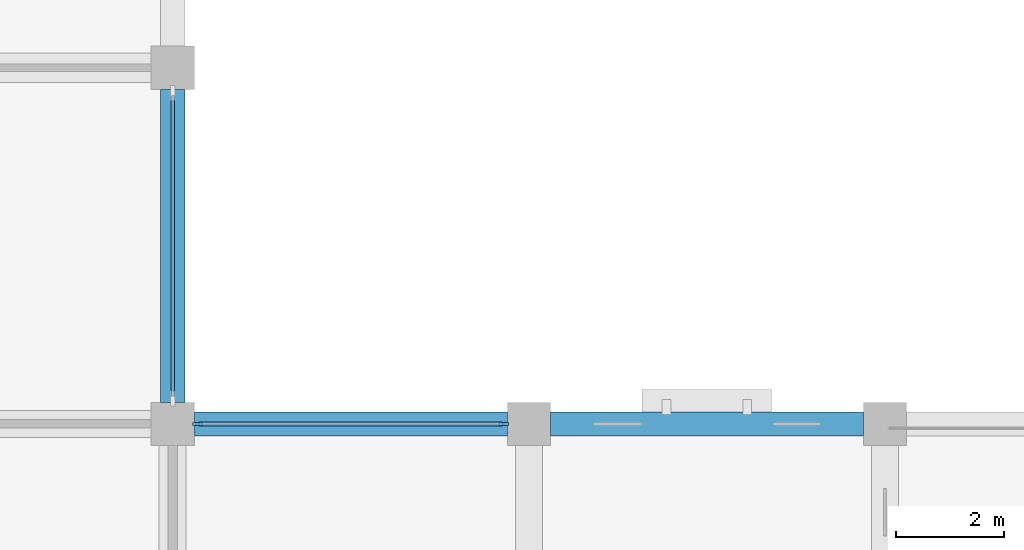
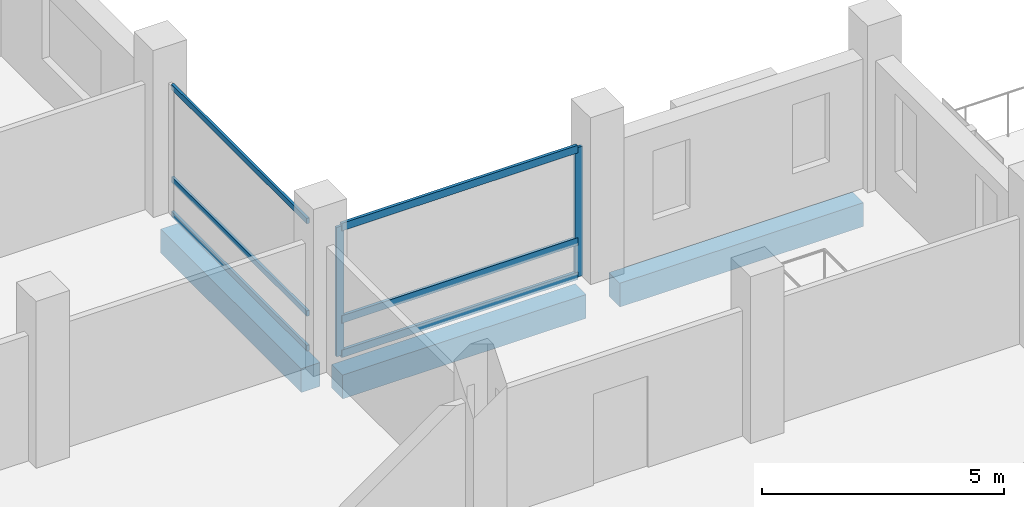
# One storey, part 4 of 25: 8 members, 3 beams, 2 elements without a shape of their own.
"""IFC4 building model written with IfcOpenShell, lengths in metres."""

from ifc_helpers import new_model, si_unit, direction, frame, origin, origin_2d, place, context, subcontext, project, spatial, rectangle, extrude, material, material_profile, profile_set, type_object, element, aggregate, save


model = new_model("IFC4")

# Units and contexts
model_context = context("Model", 3, precision=1e-05, world=origin(), true_north=direction((0.0, 1.0)))
body_context = subcontext(model_context, "Body", "Model", "MODEL_VIEW")
ifc_project = project(units=[si_unit("LENGTHUNIT", "METRE"), si_unit("AREAUNIT", "SQUARE_METRE"), si_unit("VOLUMEUNIT", "CUBIC_METRE"), si_unit("PLANEANGLEUNIT", "RADIAN"), si_unit("MASSUNIT", "GRAM", prefix="KILO")], contexts=[model_context])

# Site, building, storey
site_placement = place(None, origin())
site = spatial("IfcSite", under=ifc_project, at=site_placement, CompositionType="ELEMENT")
building_placement = place(site_placement, origin())
building = spatial("IfcBuilding", under=site, at=building_placement, Name="Rusizi Kubbe Research Institute", CompositionType="ELEMENT")
storey_placement = place(building_placement, frame((0.0, 0.0, 14.39990234375)))
storey = spatial("IfcBuildingStorey", under=building, at=storey_placement, Name="L03", CompositionType="ELEMENT", Elevation=14.39990234375)

# Beams
ifc_material_1 = material(Name="Concrete C40/50", Category="concrete")
ifc_material_profile_1 = material_profile(ifc_material_1, rectangle(XDim=0.449951171875, YDim=0.60009765625, at=origin_2d()), Name="RC450x600")
ifc_profile_set_1 = profile_set([ifc_material_profile_1], Name="Concrete C40/50")
beam_type = type_object("IfcBeamType", Name="BM-RC450x600", PredefinedType="SPANDREL", material=ifc_profile_set_1)
for number, where, z_axis, x_axis, name in (
    (1, (53.199951171875, 26.39990234375, -0.64990234375), (1.0, 0.0, 0.0), (0.0, 1.0, 0.0), "Grid Beam H L03 (8,4)"),
    (2, (59.800048828125, 26.39990234375, -0.64990234375), (1.0, 0.0, 0.0), (0.0, 1.0, 0.0), "Grid Beam H L03 (9,4)"),
    (3, (52.800048828125, 26.800048828125, -0.64990234375), (0.0, 1.0, 0.0), (-1.0, 0.0, 0.0), "Grid Beam V L03 (8,4)"),
):
    element("IfcBeam", number, at=place(storey_placement, frame(where, z_axis=z_axis, x_axis=x_axis)), inside=storey, type_object=beam_type, Name=name, PredefinedType="SPANDREL", context=body_context, shape_type="SweptSolid", body=[
        extrude(rectangle(XDim=0.449951171875, YDim=0.60009765625, at=origin_2d()), origin(), (0.0, 0.0, 1.0), 5.800048828125),
    ])

# Curtain wall, members
ifc_material_2 = material(Name="Thermally Broken Aluminium and Low-E Glazing", Category="aluminium")
curtain_wall_type = type_object("IfcCurtainWallType", Name="CW-06", PredefinedType="NOTDEFINED", material=ifc_material_2)
curtain_wall_1_placement = place(storey_placement, origin())
curtain_wall_1 = element("IfcCurtainWall", 4, at=curtain_wall_1_placement, inside=storey, type_object=curtain_wall_type, Name="Unitised Facade Curtain Wall CW-L03-H-08-04", PredefinedType="NOTDEFINED")
ifc_material_3 = material(Name="Aluminium Alloy 6063-T6", Category="aluminium")
ifc_material_profile_2 = material_profile(ifc_material_3, rectangle(XDim=0.06005859375, YDim=0.179931640625, at=origin_2d()), Name="ALU-M 60x180")
ifc_profile_set_2 = profile_set([ifc_material_profile_2], Name="Aluminium Alloy 6063-T6")
member_type_1 = type_object("IfcMemberType", Name="ML-02", PredefinedType="MULLION", material=ifc_profile_set_2)
member_1_placement = place(storey_placement, frame((53.260009765625, 26.39990234375, 0.0), z_axis=(0.0, 0.0, 1.0), x_axis=(0.0, 1.0, 0.0)))
member_1 = element("IfcMember", 5, at=member_1_placement, type_object=member_type_1, Name="CW-06 mullion 1", PredefinedType="MULLION", context=body_context, shape_type="SweptSolid", body=[
    extrude(rectangle(XDim=0.06005859375, YDim=0.179931640625, at=origin_2d()), origin(), (0.0, 0.0, 1.0), 3.260009765625),
])
member_2_placement = place(storey_placement, frame((58.93994140625, 26.39990234375, 0.0), z_axis=(0.0, 0.0, 1.0), x_axis=(0.0, 1.0, 0.0)))
member_2 = element("IfcMember", 6, at=member_2_placement, type_object=member_type_1, Name="CW-06 mullion 2", PredefinedType="MULLION", context=body_context, shape_type="SweptSolid", body=[
    extrude(rectangle(XDim=0.06005859375, YDim=0.179931640625, at=origin_2d()), origin(), (0.0, 0.0, 1.0), 3.260009765625),
])

curtain_wall_2_placement = place(storey_placement, origin())
curtain_wall_2 = element("IfcCurtainWall", 7, at=curtain_wall_2_placement, inside=storey, type_object=curtain_wall_type, Name="Unitised Facade Curtain Wall CW-L03-V-08-04", PredefinedType="NOTDEFINED")
ifc_material_4 = material(Name="Aluminium Alloy 6063-T6", Category="aluminium")
ifc_material_profile_3 = material_profile(ifc_material_4, rectangle(XDim=0.06005859375, YDim=0.139892578125, at=origin_2d()), Name="ALU-T 60x140")
ifc_profile_set_3 = profile_set([ifc_material_profile_3], Name="Aluminium Alloy 6063-T6")
member_type_2 = type_object("IfcMemberType", Name="TR-02", PredefinedType="USERDEFINED", material=ifc_profile_set_3)
member_3_placement = place(storey_placement, frame((52.800048828125, 26.909912109375, 0.030029296875), z_axis=(0.0, 1.0, 0.0), x_axis=(-1.0, 0.0, 0.0)))
member_3 = element("IfcMember", 8, at=member_3_placement, type_object=member_type_2, Name="CW-06 transom 1.1", ObjectType="TRANSOM", PredefinedType="USERDEFINED", context=body_context, shape_type="SweptSolid", body=[
    extrude(rectangle(XDim=0.06005859375, YDim=0.139892578125, at=origin_2d()), origin(), (0.0, 0.0, 1.0), 5.580078125),
])
member_4_placement = place(storey_placement, frame((52.800048828125, 26.909912109375, 0.900146484375), z_axis=(0.0, 1.0, 0.0), x_axis=(-1.0, 0.0, 0.0)))
member_4 = element("IfcMember", 9, at=member_4_placement, type_object=member_type_2, Name="CW-06 transom 1.2", ObjectType="TRANSOM", PredefinedType="USERDEFINED", context=body_context, shape_type="SweptSolid", body=[
    extrude(rectangle(XDim=0.06005859375, YDim=0.139892578125, at=origin_2d()), origin(), (0.0, 0.0, 1.0), 5.580078125),
])
member_5_placement = place(storey_placement, frame((52.800048828125, 26.909912109375, 3.22998046875), z_axis=(0.0, 1.0, 0.0), x_axis=(-1.0, 0.0, 0.0)))
member_5 = element("IfcMember", 10, at=member_5_placement, type_object=member_type_2, Name="CW-06 transom 1.3", ObjectType="TRANSOM", PredefinedType="USERDEFINED", context=body_context, shape_type="SweptSolid", body=[
    extrude(rectangle(XDim=0.06005859375, YDim=0.139892578125, at=origin_2d()), origin(), (0.0, 0.0, 1.0), 5.580078125),
])
aggregate(curtain_wall_2, [member_3, member_4, member_5])

# Member
ifc_material_5 = material(Name="Aluminium Alloy 6063-T6", Category="aluminium")
ifc_material_profile_4 = material_profile(ifc_material_5, rectangle(XDim=0.070068359375, YDim=0.18994140625, at=origin_2d()), Name="ALU-T 70x190")
ifc_profile_set_4 = profile_set([ifc_material_profile_4], Name="Aluminium Alloy 6063-T6")
member_type_3 = type_object("IfcMemberType", Name="TR-04", PredefinedType="USERDEFINED", material=ifc_profile_set_4)
member_6_placement = place(storey_placement, frame((53.2900390625, 26.39990234375, 0.03515625), z_axis=(1.0, 0.0, 0.0), x_axis=(0.0, 1.0, 0.0)))
member_6 = element("IfcMember", 11, at=member_6_placement, type_object=member_type_3, Name="CW-06 transom 1.1", ObjectType="TRANSOM", PredefinedType="USERDEFINED", context=body_context, shape_type="SweptSolid", body=[
    extrude(rectangle(XDim=0.070068359375, YDim=0.18994140625, at=origin_2d()), origin(), (0.0, 0.0, 1.0), 5.619873046875),
])

member_7_placement = place(storey_placement, frame((53.2900390625, 26.39990234375, 0.900146484375), z_axis=(1.0, 0.0, 0.0), x_axis=(0.0, 1.0, 0.0)))
member_7 = element("IfcMember", 12, at=member_7_placement, type_object=member_type_3, Name="CW-06 transom 1.2", ObjectType="TRANSOM", PredefinedType="USERDEFINED", context=body_context, shape_type="SweptSolid", body=[
    extrude(rectangle(XDim=0.070068359375, YDim=0.18994140625, at=origin_2d()), origin(), (0.0, 0.0, 1.0), 5.619873046875),
])

member_8_placement = place(storey_placement, frame((53.2900390625, 26.39990234375, 3.22509765625), z_axis=(1.0, 0.0, 0.0), x_axis=(0.0, 1.0, 0.0)))
member_8 = element("IfcMember", 13, at=member_8_placement, type_object=member_type_3, Name="CW-06 transom 1.3", ObjectType="TRANSOM", PredefinedType="USERDEFINED", context=body_context, shape_type="SweptSolid", body=[
    extrude(rectangle(XDim=0.070068359375, YDim=0.18994140625, at=origin_2d()), origin(), (0.0, 0.0, 1.0), 5.619873046875),
])

aggregate(curtain_wall_1, [member_1, member_2, member_6, member_7, member_8])

save(model, "model.ifc")
